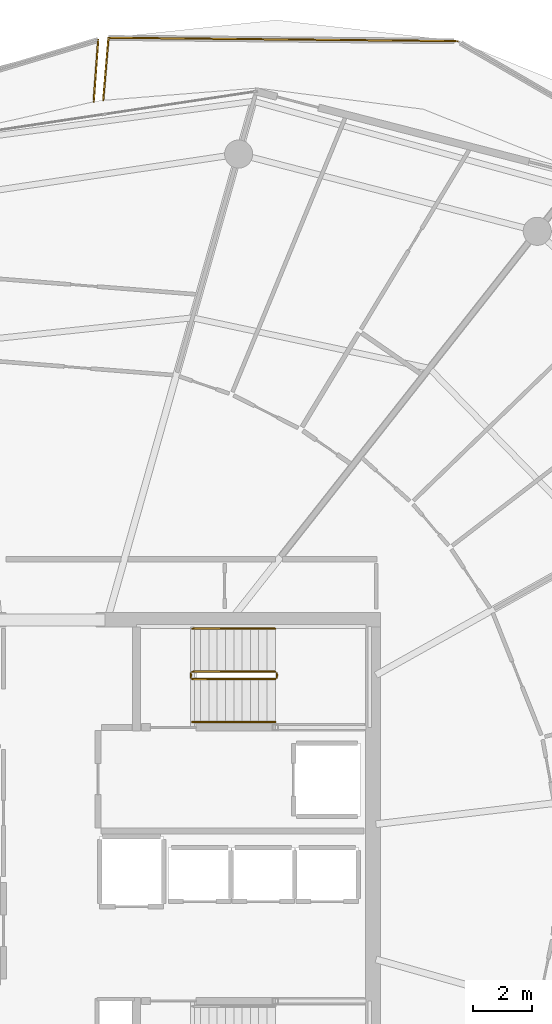
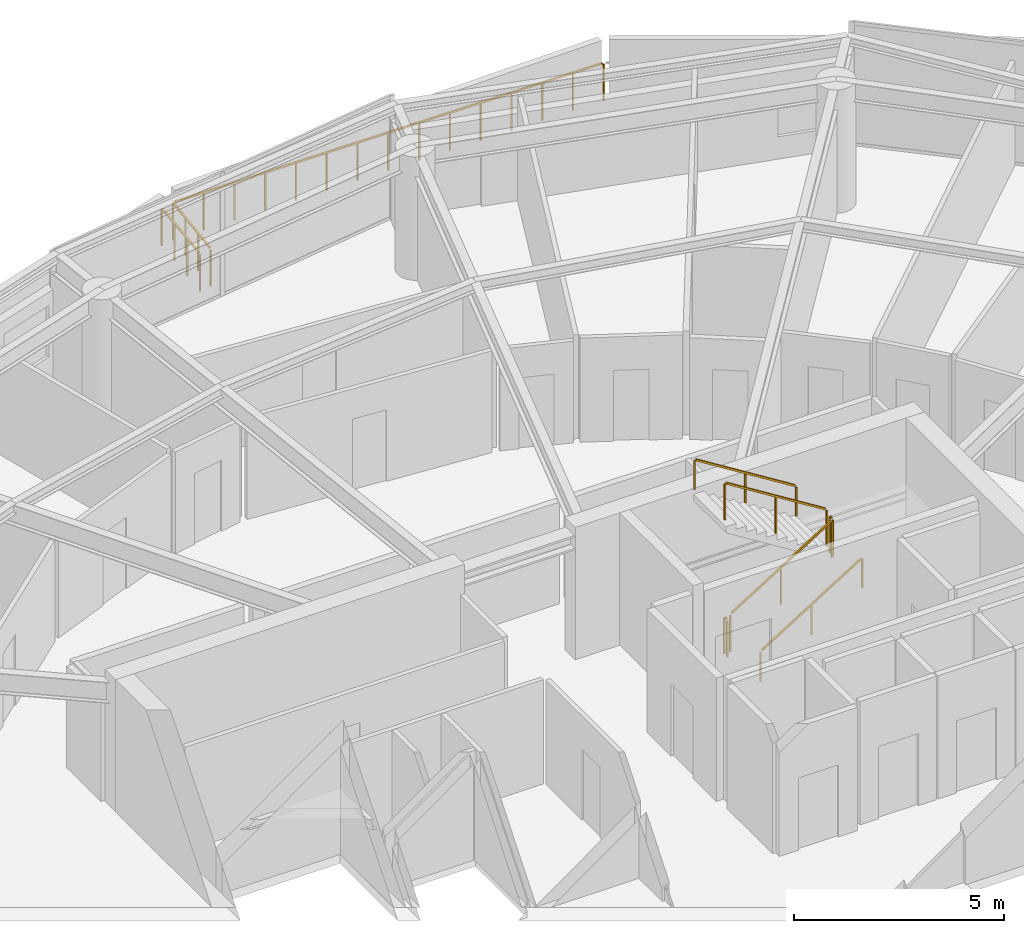
# One storey, part 29 of 30: 9 railings.
"""IFC4 building model written with IfcOpenShell, lengths in metres."""

from ifc_helpers import new_model, si_unit, direction, frame, origin, origin_2d, place, context, subcontext, project, spatial, rectangle, extrude, material, type_object, element, save


model = new_model("IFC4")

# Units and contexts
model_context = context("Model", 3, precision=1e-05, world=origin(), true_north=direction((0.0, 1.0)))
body_context = subcontext(model_context, "Body", "Model", "MODEL_VIEW")
ifc_project = project(units=[si_unit("LENGTHUNIT", "METRE"), si_unit("AREAUNIT", "SQUARE_METRE"), si_unit("VOLUMEUNIT", "CUBIC_METRE"), si_unit("PLANEANGLEUNIT", "RADIAN"), si_unit("MASSUNIT", "GRAM", prefix="KILO")], contexts=[model_context])

# Site, building, storey
site_placement = place(None, origin())
site = spatial("IfcSite", under=ifc_project, at=site_placement, CompositionType="ELEMENT")
building_placement = place(site_placement, origin())
building = spatial("IfcBuilding", under=site, at=building_placement, Name="Kazma Halo Residences", CompositionType="ELEMENT")
storey_placement = place(building_placement, frame((0.0, 0.0, 290.60009765625)))
storey = spatial("IfcBuildingStorey", under=building, at=storey_placement, Name="L73", CompositionType="ELEMENT", Elevation=290.60009765625)

# Railings
ifc_material_1 = material(Name="Aluminium AW-6063 T6 Brushed Cap Rail", Category="aluminium")
railing_type_1 = type_object("IfcRailingType", Name="RLG-BAL-CAP-1120", PredefinedType="BALUSTRADE", material=ifc_material_1)
railing_1_placement = place(storey_placement, frame((62.1611328125, 69.79296875, 0.0)))
element("IfcRailing", 1, at=railing_1_placement, inside=storey, type_object=railing_type_1, Name="L73 NE wave balcony guard 3", PredefinedType="BALUSTRADE", context=body_context, shape_type="SweptSolid", body=[
    extrude(rectangle(XDim=0.050048828125, YDim=0.050048828125, at=origin_2d()), frame((-0.04248046875, 0.00048828125, 1.09521484375), z_axis=(-0.999953670079, 0.009625886691, 0.0), x_axis=(-0.009625886691, -0.999953670079, 0.0)), (0.0, 0.0, 1.0), 11.708740234375),
    extrude(rectangle(XDim=0.0400390625, YDim=0.0400390625, at=origin_2d()), origin(), (0.0, 0.0, 1.0), 1.05810546875),
    extrude(rectangle(XDim=0.0400390625, YDim=0.0400390625, at=origin_2d()), frame((-0.84228515625, 0.008056640625, 0.0)), (0.0, 0.0, 1.0), 1.05810546875),
    extrude(rectangle(XDim=0.0400390625, YDim=0.0400390625, at=origin_2d()), frame((-1.684814453125, 0.01611328125, 0.0)), (0.0, 0.0, 1.0), 1.05810546875),
    extrude(rectangle(XDim=0.0400390625, YDim=0.0400390625, at=origin_2d()), frame((-2.527099609375, 0.0244140625, 0.0)), (0.0, 0.0, 1.0), 1.05810546875),
    extrude(rectangle(XDim=0.0400390625, YDim=0.0400390625, at=origin_2d()), frame((-3.369384765625, 0.032470703125, 0.0)), (0.0, 0.0, 1.0), 1.05810546875),
    extrude(rectangle(XDim=0.0400390625, YDim=0.0400390625, at=origin_2d()), frame((-4.2119140625, 0.04052734375, 0.0)), (0.0, 0.0, 1.0), 1.05810546875),
    extrude(rectangle(XDim=0.0400390625, YDim=0.0400390625, at=origin_2d()), frame((-5.05419921875, 0.048583984375, 0.0)), (0.0, 0.0, 1.0), 1.05810546875),
    extrude(rectangle(XDim=0.0400390625, YDim=0.0400390625, at=origin_2d()), frame((-5.896484375, 0.056640625, 0.0)), (0.0, 0.0, 1.0), 1.05810546875),
    extrude(rectangle(XDim=0.0400390625, YDim=0.0400390625, at=origin_2d()), frame((-6.739013671875, 0.06494140625, 0.0)), (0.0, 0.0, 1.0), 1.05810546875),
    extrude(rectangle(XDim=0.0400390625, YDim=0.0400390625, at=origin_2d()), frame((-7.581298828125, 0.072998046875, 0.0)), (0.0, 0.0, 1.0), 1.05810546875),
    extrude(rectangle(XDim=0.0400390625, YDim=0.0400390625, at=origin_2d()), frame((-8.423828125, 0.0810546875, 0.0)), (0.0, 0.0, 1.0), 1.05810546875),
    extrude(rectangle(XDim=0.0400390625, YDim=0.0400390625, at=origin_2d()), frame((-9.26611328125, 0.089111328125, 0.0)), (0.0, 0.0, 1.0), 1.05810546875),
    extrude(rectangle(XDim=0.0400390625, YDim=0.0400390625, at=origin_2d()), frame((-10.1083984375, 0.097412109375, 0.0)), (0.0, 0.0, 1.0), 1.05810546875),
    extrude(rectangle(XDim=0.0400390625, YDim=0.0400390625, at=origin_2d()), frame((-10.950927734375, 0.10546875, 0.0)), (0.0, 0.0, 1.0), 1.05810546875),
    extrude(rectangle(XDim=0.0400390625, YDim=0.0400390625, at=origin_2d()), frame((-11.793212890625, 0.113525390625, 0.0)), (0.0, 0.0, 1.0), 1.05810546875),
])
railing_2_placement = place(storey_placement, frame((50.367919921875, 69.906494140625, 0.0)))
element("IfcRailing", 2, at=railing_2_placement, inside=storey, type_object=railing_type_1, Name="L73 NE wave balcony guard 4", PredefinedType="BALUSTRADE", context=body_context, shape_type="SweptSolid", body=[
    extrude(rectangle(XDim=0.050048828125, YDim=0.050048828125, at=origin_2d()), frame((-0.003662109375, -0.04248046875, 1.09521484375), z_axis=(-0.08453222693, -0.996420745775, 0.0), x_axis=(0.996420745775, -0.08453222693, 0.0)), (0.0, 0.0, 1.0), 2.034912109375),
    extrude(rectangle(XDim=0.0400390625, YDim=0.0400390625, at=origin_2d()), origin(), (0.0, 0.0, 1.0), 1.05810546875),
    extrude(rectangle(XDim=0.0400390625, YDim=0.0400390625, at=origin_2d()), frame((-0.059814453125, -0.7041015625, 0.0)), (0.0, 0.0, 1.0), 1.05810546875),
    extrude(rectangle(XDim=0.0400390625, YDim=0.0400390625, at=origin_2d()), frame((-0.119384765625, -1.408203125, 0.0)), (0.0, 0.0, 1.0), 1.05810546875),
    extrude(rectangle(XDim=0.0400390625, YDim=0.0400390625, at=origin_2d()), frame((-0.17919921875, -2.1123046875, 0.0)), (0.0, 0.0, 1.0), 1.05810546875),
])
railing_3_placement = place(storey_placement, frame((49.8681640625, 67.74609375, 0.0)))
element("IfcRailing", 3, at=railing_3_placement, inside=storey, type_object=railing_type_1, Name="L73 NNW wave balcony guard 1", PredefinedType="BALUSTRADE", context=body_context, shape_type="SweptSolid", body=[
    extrude(rectangle(XDim=0.050048828125, YDim=0.050048828125, at=origin_2d()), frame((0.003173828125, 0.04248046875, 1.09521484375), z_axis=(0.072339758184, 0.997380047618, 0.0), x_axis=(-0.997380047618, 0.072339758184, 0.0)), (0.0, 0.0, 1.0), 2.0107421875),
    extrude(rectangle(XDim=0.0400390625, YDim=0.0400390625, at=origin_2d()), origin(), (0.0, 0.0, 1.0), 1.05810546875),
    extrude(rectangle(XDim=0.0400390625, YDim=0.0400390625, at=origin_2d()), frame((0.050537109375, 0.69677734375, 0.0)), (0.0, 0.0, 1.0), 1.05810546875),
    extrude(rectangle(XDim=0.0400390625, YDim=0.0400390625, at=origin_2d()), frame((0.10107421875, 1.3935546875, 0.0)), (0.0, 0.0, 1.0), 1.05810546875),
    extrude(rectangle(XDim=0.0400390625, YDim=0.0400390625, at=origin_2d()), frame((0.151611328125, 2.09033203125, 0.0)), (0.0, 0.0, 1.0), 1.05810546875),
])
ifc_material_2 = material(Name="Painted Steel S355", Category="steel")
railing_type_2 = type_object("IfcRailingType", Name="RLG-STAIR-GRD-1100", PredefinedType="GUARDRAIL", material=ifc_material_2)
railing_4_placement = place(storey_placement, frame((53.199951171875, 48.25, 0.1748046875)))
element("IfcRailing", 4, at=railing_4_placement, inside=storey, type_object=railing_type_2, Name="L73 ST-02 stair guard 1", PredefinedType="GUARDRAIL", context=body_context, shape_type="SweptSolid", body=[
    extrude(rectangle(XDim=0.050048828125, YDim=0.050048828125, at=origin_2d()), frame((0.0361328125, 0.0, 1.09765625), z_axis=(0.848002457836, 0.0, 0.529992293815), x_axis=(0.0, 1.0, 0.0)), (0.0, 0.0, 1.0), 3.216796875),
    extrude(rectangle(XDim=0.0400390625, YDim=0.0400390625, at=origin_2d()), origin(), (0.0, 0.0, 1.0), 1.0380859375),
    extrude(rectangle(XDim=0.0400390625, YDim=0.0400390625, at=origin_2d()), frame((1.39990234375, 0.0, 0.875)), (0.0, 0.0, 1.0), 1.0380859375),
    extrude(rectangle(XDim=0.0400390625, YDim=0.0400390625, at=origin_2d()), frame((2.800048828125, 0.0, 1.75)), (0.0, 0.0, 1.0), 1.0380859375),
])
railing_5_placement = place(storey_placement, frame((56.050048828125, 48.300048828125, 1.9248046875)))
element("IfcRailing", 5, at=railing_5_placement, inside=storey, type_object=railing_type_2, Name="L73 ST-02 stair guard 2", PredefinedType="GUARDRAIL", context=body_context, shape_type="SweptSolid", body=[
    extrude(rectangle(XDim=0.050048828125, YDim=0.050048828125, at=origin_2d()), frame((0.0, 0.04248046875, 1.0751953125), z_axis=(0.0, 1.0, 0.0), x_axis=(-1.0, 0.0, 0.0)), (0.0, 0.0, 1.0), 0.06494140625),
    extrude(rectangle(XDim=0.0400390625, YDim=0.0400390625, at=origin_2d()), origin(), (0.0, 0.0, 1.0), 1.0380859375),
    extrude(rectangle(XDim=0.0400390625, YDim=0.0400390625, at=origin_2d()), frame((0.0, 0.14990234375, 0.0)), (0.0, 0.0, 1.0), 1.0380859375),
])
railing_6_placement = place(storey_placement, frame((56.0, 48.5, 2.099853515625)))
element("IfcRailing", 6, at=railing_6_placement, inside=storey, type_object=railing_type_2, Name="L73 ST-02 stair guard 3", PredefinedType="GUARDRAIL", context=body_context, shape_type="SweptSolid", body=[
    extrude(rectangle(XDim=0.050048828125, YDim=0.050048828125, at=origin_2d()), frame((-0.0361328125, 0.0, 1.09765625), z_axis=(-0.848002457836, 0.0, 0.529992293815), x_axis=(0.0, -1.0, 0.0)), (0.0, 0.0, 1.0), 3.216796875),
    extrude(rectangle(XDim=0.0400390625, YDim=0.0400390625, at=origin_2d()), origin(), (0.0, 0.0, 1.0), 1.0380859375),
    extrude(rectangle(XDim=0.0400390625, YDim=0.0400390625, at=origin_2d()), frame((-1.39990234375, 0.0, 0.875)), (0.0, 0.0, 1.0), 1.0380859375),
    extrude(rectangle(XDim=0.0400390625, YDim=0.0400390625, at=origin_2d()), frame((-2.800048828125, 0.0, 1.75)), (0.0, 0.0, 1.0), 1.0380859375),
])
railing_7_placement = place(storey_placement, frame((53.14990234375, 48.300048828125, 0.0)))
element("IfcRailing", 7, at=railing_7_placement, inside=storey, type_object=railing_type_2, Name="L73 ST-02 stair guard 4", PredefinedType="GUARDRAIL", context=body_context, shape_type="SweptSolid", body=[
    extrude(rectangle(XDim=0.050048828125, YDim=0.050048828125, at=origin_2d()), frame((0.0, 0.04248046875, 1.0751953125), z_axis=(0.0, 1.0, 0.0), x_axis=(-1.0, 0.0, 0.0)), (0.0, 0.0, 1.0), 0.06494140625),
    extrude(rectangle(XDim=0.0400390625, YDim=0.0400390625, at=origin_2d()), origin(), (0.0, 0.0, 1.0), 1.0380859375),
    extrude(rectangle(XDim=0.0400390625, YDim=0.0400390625, at=origin_2d()), frame((0.0, 0.14990234375, 0.0)), (0.0, 0.0, 1.0), 1.0380859375),
])
ifc_material_3 = material(Name="Brushed Stainless Steel", Category="steel")
railing_type_3 = type_object("IfcRailingType", Name="RLG-STAIR-HND-900", PredefinedType="HANDRAIL", material=ifc_material_3)
railing_8_placement = place(storey_placement, frame((53.199951171875, 46.800048828125, 0.1748046875)))
element("IfcRailing", 8, at=railing_8_placement, inside=storey, type_object=railing_type_3, Name="L73 ST-02 stair handrail 1", PredefinedType="HANDRAIL", context=body_context, shape_type="SweptSolid", body=[
    extrude(rectangle(XDim=0.050048828125, YDim=0.050048828125, at=origin_2d()), frame((0.0361328125, 0.0, 0.8974609375), z_axis=(0.848002457836, 0.0, 0.529992293815), x_axis=(0.0, 1.0, 0.0)), (0.0, 0.0, 1.0), 3.216796875),
    extrude(rectangle(XDim=0.0400390625, YDim=0.0400390625, at=origin_2d()), origin(), (0.0, 0.0, 1.0), 0.837890625),
    extrude(rectangle(XDim=0.0400390625, YDim=0.0400390625, at=origin_2d()), frame((1.39990234375, 0.0, 0.875)), (0.0, 0.0, 1.0), 0.837890625),
    extrude(rectangle(XDim=0.0400390625, YDim=0.0400390625, at=origin_2d()), frame((2.800048828125, 0.0, 1.75)), (0.0, 0.0, 1.0), 0.837890625),
])
railing_9_placement = place(storey_placement, frame((56.0, 49.949951171875, 2.099853515625)))
element("IfcRailing", 9, at=railing_9_placement, inside=storey, type_object=railing_type_3, Name="L73 ST-02 stair handrail 2", PredefinedType="HANDRAIL", context=body_context, shape_type="SweptSolid", body=[
    extrude(rectangle(XDim=0.050048828125, YDim=0.050048828125, at=origin_2d()), frame((-0.0361328125, 0.0, 0.8974609375), z_axis=(-0.848002457836, 0.0, 0.529992293815), x_axis=(0.0, -1.0, 0.0)), (0.0, 0.0, 1.0), 3.216796875),
    extrude(rectangle(XDim=0.0400390625, YDim=0.0400390625, at=origin_2d()), origin(), (0.0, 0.0, 1.0), 0.837890625),
    extrude(rectangle(XDim=0.0400390625, YDim=0.0400390625, at=origin_2d()), frame((-1.39990234375, 0.0, 0.875)), (0.0, 0.0, 1.0), 0.837890625),
    extrude(rectangle(XDim=0.0400390625, YDim=0.0400390625, at=origin_2d()), frame((-2.800048828125, 0.0, 1.75)), (0.0, 0.0, 1.0), 0.837890625),
])

save(model, "model.ifc")
